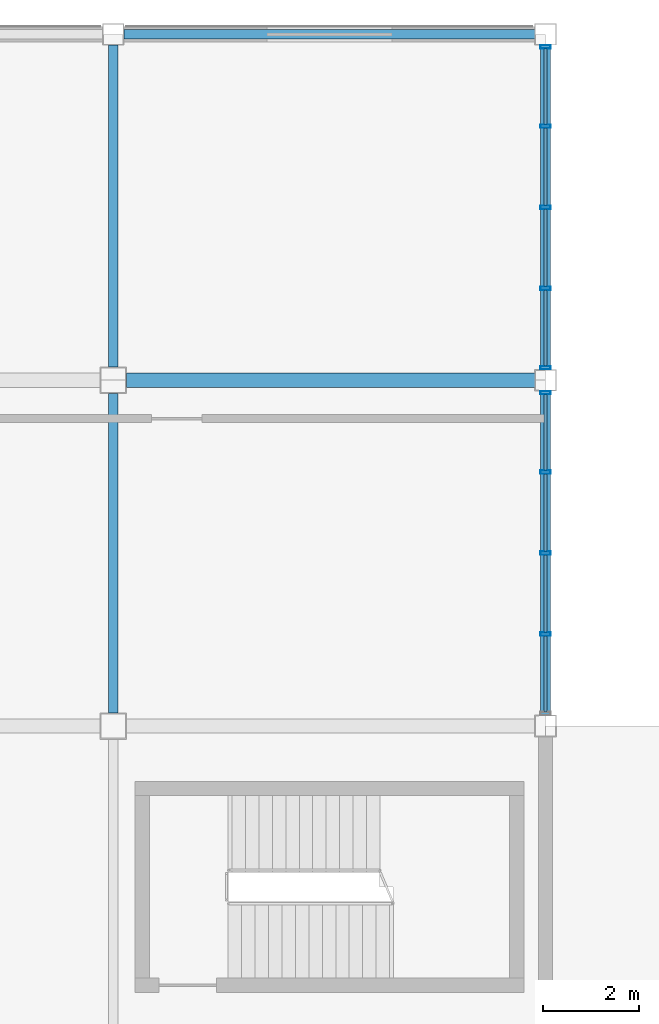
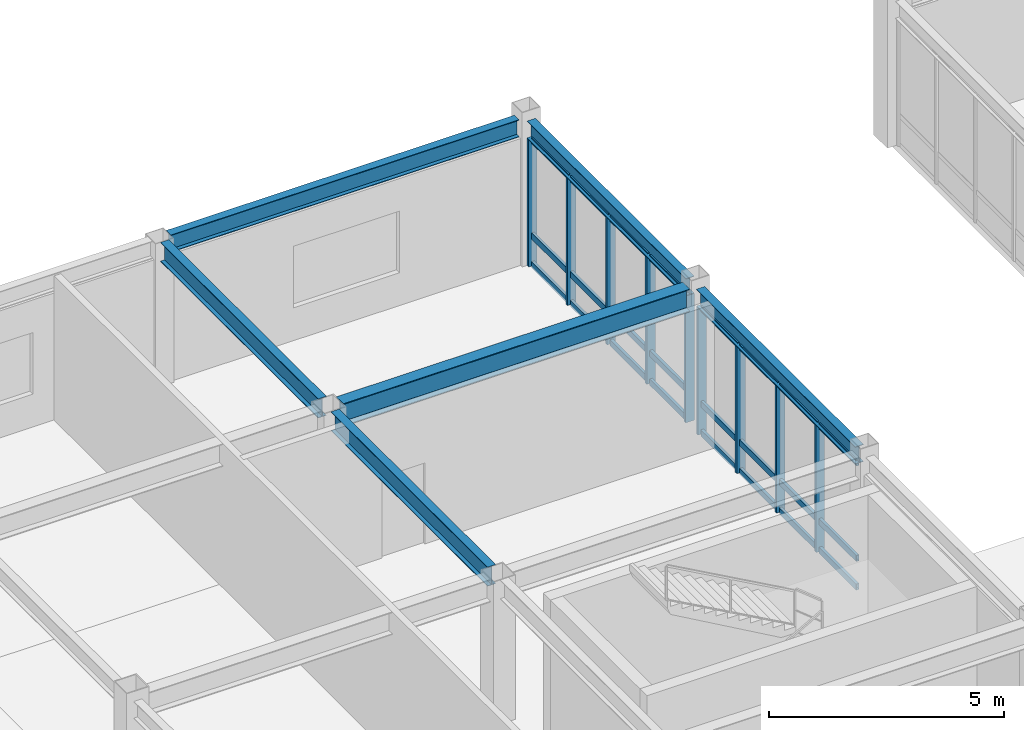
# One storey, part 77 of 113: 33 members, 6 beams, 2 elements without a shape of their own.
"""IFC4 building model written with IfcOpenShell, lengths in metres."""

import ifcopenshell
import ifcopenshell.guid

model = None  # the IFC model being written
_history = None  # IfcOwnerHistory: only IFC2X3 demands one
_inside = {}  # id of a spatial element -> (the spatial element, [elements in it])
_under = {}  # id of a project, library or spatial element -> (it, [spatial elements below it])
_declared = {}  # id of a project -> (the project, [libraries it declares])
_typed = {}  # id of a type object -> (the type object, [elements of that type])
_made_of = {}  # id of a material, layer set ... -> (it, [elements and type objects made of it])


def new_model(schema):
    """Start an empty IFC model of exactly this schema.

    Asked for "IFC4X3", IfcOpenShell would pick the latest addendum, in which some entities
    have other attributes; the version numbers below select the first issue.
    IFC2X3 requires an IfcOwnerHistory on every rooted entity: one is made here for all.
    """
    global model, _history
    if schema == "IFC4X3":
        model = ifcopenshell.file(schema_version=(4, 3, 0, 0))
    else:
        model = ifcopenshell.file(schema=schema)
    _inside.clear()
    _under.clear()
    _declared.clear()
    _typed.clear()
    _made_of.clear()
    _history = None
    if model.schema == "IFC2X3":
        org = make("IfcOrganization", Name="unknown")
        user = make(
            "IfcPersonAndOrganization",
            ThePerson=make("IfcPerson", FamilyName="unknown"),
            TheOrganization=org,
        )
        app = make(
            "IfcApplication",
            ApplicationDeveloper=org,
            Version="unknown",
            ApplicationFullName="unknown",
            ApplicationIdentifier="unknown",
        )
        _history = make(
            "IfcOwnerHistory",
            OwningUser=user,
            OwningApplication=app,
            ChangeAction="ADDED",
            CreationDate=0,
        )
    return model


def make(cls, **values):
    """One entity of the class cls with the attributes given. An attribute that is None is left unset."""
    return model.create_entity(
        cls, **{name: value for name, value in values.items() if value is not None}
    )


def rooted(cls, **values):
    """An entity with a GlobalId (a new one), such as an element, a storey or a relation."""
    return make(cls, GlobalId=ifcopenshell.guid.new(), OwnerHistory=_history, **values)


def si_unit(unit_type, name, prefix=None):
    """IfcSIUnit, for example si_unit("LENGTHUNIT", "METRE", prefix="MILLI")."""
    return make("IfcSIUnit", UnitType=unit_type, Prefix=prefix, Name=name)


def assignment(units):
    """IfcUnitAssignment: the units of a project."""
    return None if units is None else make("IfcUnitAssignment", Units=units)


def point(xyz):
    """IfcCartesianPoint."""
    return None if xyz is None else make("IfcCartesianPoint", Coordinates=xyz)


def direction(xyz):
    """IfcDirection."""
    return None if xyz is None else make("IfcDirection", DirectionRatios=xyz)


def frame(location, z_axis=None, x_axis=None):
    """IfcAxis2Placement3D, a coordinate frame: its origin and axes. An axis left out is left unset."""
    return make(
        "IfcAxis2Placement3D",
        Location=point(location),
        Axis=direction(z_axis),
        RefDirection=direction(x_axis),
    )


def frame_2d(location, x_axis=None):
    """IfcAxis2Placement2D, a coordinate frame in the plane: its origin and x axis."""
    return make(
        "IfcAxis2Placement2D", Location=point(location), RefDirection=direction(x_axis)
    )


def origin():
    """The frame at (0, 0, 0) with its axes left unset."""
    return frame((0.0, 0.0, 0.0))


def origin_2d():
    """The frame at (0, 0) in the plane with its x axis left unset."""
    return frame_2d((0.0, 0.0))


def place(relative_to, where):
    """IfcLocalPlacement: puts the frame where relative to a parent placement (None: the world)."""
    return make(
        "IfcLocalPlacement", PlacementRelTo=relative_to, RelativePlacement=where
    )


def context(
    kind, dimensions, precision=None, world=None, true_north=None, identifier=None
):
    """IfcGeometricRepresentationContext, for example the 3D "Model" context."""
    return make(
        "IfcGeometricRepresentationContext",
        ContextIdentifier=identifier,
        ContextType=kind,
        CoordinateSpaceDimension=dimensions,
        Precision=precision,
        WorldCoordinateSystem=world,
        TrueNorth=true_north,
    )


def subcontext(parent, identifier, kind, view, scale=None):
    """IfcGeometricRepresentationSubContext, for example "Body" below "Model"."""
    return make(
        "IfcGeometricRepresentationSubContext",
        ContextIdentifier=identifier,
        ContextType=kind,
        ParentContext=parent,
        TargetScale=scale,
        TargetView=view,
    )


def project(units=None, contexts=None):
    """IfcProject with its units and contexts."""
    return rooted(
        "IfcProject",
        Name="project",
        RepresentationContexts=contexts,
        UnitsInContext=assignment(units),
    )


def spatial(cls, under=None, at=None, **own):
    """A site, building, storey or space (cls), placed at a placement, below another one or the project."""
    s = rooted(cls, ObjectPlacement=at, **own)
    if under is not None:
        _under.setdefault(under.id(), (under, []))[1].append(s)
    return s


def profile(cls, at=None, kind="AREA", **sizes):
    """A parametric profile (cls). Its sizes go by their IFC names, for example OverallWidth=200.0."""
    return make(cls, ProfileType=kind, Position=at, **sizes)


def hollow_rectangle(**sizes):
    """IfcRectangleHollowProfileDef."""
    return profile("IfcRectangleHollowProfileDef", **sizes)


def i_section(**sizes):
    """IfcIShapeProfileDef."""
    return profile("IfcIShapeProfileDef", **sizes)


def extrude(swept, where, along, depth):
    """IfcExtrudedAreaSolid: the profile swept, set in the frame where, extruded along a direction by depth."""
    return make(
        "IfcExtrudedAreaSolid",
        SweptArea=swept,
        Position=where,
        ExtrudedDirection=direction(along),
        Depth=depth,
    )


def shape(context_of_items, identifier, shape_type, items):
    """IfcShapeRepresentation: the items that make up one representation, for example the "Body"."""
    return make(
        "IfcShapeRepresentation",
        ContextOfItems=context_of_items,
        RepresentationIdentifier=identifier,
        RepresentationType=shape_type,
        Items=items,
    )


def material(Name=None, Category=None):
    """IfcMaterial."""
    return make("IfcMaterial", Name=Name, Category=Category)


def material_profile(
    of_material, cross_section, Name=None, Category=None, Priority=None
):
    """IfcMaterialProfile: a cross section and its material."""
    return make(
        "IfcMaterialProfile",
        Name=Name,
        Material=of_material,
        Profile=cross_section,
        Priority=Priority,
        Category=Category,
    )


def profile_set(profiles, Name=None, composite=None):
    """IfcMaterialProfileSet."""
    return make(
        "IfcMaterialProfileSet",
        Name=Name,
        MaterialProfiles=profiles,
        CompositeProfile=composite,
    )


def made_of(thing, what):
    """Note that an element or type object is made of a material, layer set ...; save() writes the relation."""
    if what is not None:
        _made_of.setdefault(what.id(), (what, []))[1].append(thing)
    return thing


def type_object(cls, material=None, **own):
    """A type object (cls), such as IfcWallType, which elements share."""
    return made_of(rooted(cls, **own), material)


def element(
    cls,
    number,
    at=None,
    inside=None,
    cuts=None,
    type_object=None,
    material=None,
    context=None,
    identifier="Body",
    shape_type=None,
    held_by="IfcProductDefinitionShape",
    body=None,
    shapes=None,
    **own,
):
    """One element of the class cls, such as IfcWall. Its Tag is "e" and its number.

    at: its placement. inside: the storey or other place that contains it. cuts: it is an
    opening in that element (IfcRelVoidsElement). A single representation is given by context,
    identifier, shape_type and body (its items); several are given by shapes. held_by: the class
    of the entity that holds the representations. save() writes the other relations.
    """
    e = rooted(cls, Tag="e%d" % number, ObjectPlacement=at, **own)
    if body is not None:
        shapes = [shape(context, identifier, shape_type, body)]
    if shapes is not None:
        e.Representation = make(held_by, Representations=shapes)
    if inside is not None:
        _inside.setdefault(inside.id(), (inside, []))[1].append(e)
    if cuts is not None:
        rooted(
            "IfcRelVoidsElement", RelatingBuildingElement=cuts, RelatedOpeningElement=e
        )
    if type_object is not None:
        _typed.setdefault(type_object.id(), (type_object, []))[1].append(e)
    return made_of(e, material)


def aggregate(whole, parts):
    """IfcRelAggregates: a whole, such as a stair, and the parts it consists of."""
    return rooted("IfcRelAggregates", RelatingObject=whole, RelatedObjects=parts)


def save(model, path):
    """Write the relations noted so far, then the file.

    IfcRelAggregates (storeys below a building ...), IfcRelContainedInSpatialStructure (elements
    in a storey), IfcRelDefinesByType, IfcRelAssociatesMaterial and IfcRelDeclares: one each for
    every whole, place, type object, material and project.
    """
    for whole, parts in _under.values():
        aggregate(whole, parts)
    for where, things in _inside.values():
        rooted(
            "IfcRelContainedInSpatialStructure",
            RelatedElements=things,
            RelatingStructure=where,
        )
    for kind, things in _typed.values():
        rooted("IfcRelDefinesByType", RelatedObjects=things, RelatingType=kind)
    for what, things in _made_of.values():
        rooted("IfcRelAssociatesMaterial", RelatedObjects=things, RelatingMaterial=what)
    for by, libraries in _declared.values():
        rooted("IfcRelDeclares", RelatingContext=by, RelatedDefinitions=libraries)
    model.write(path)


model = new_model("IFC4")

# Units and contexts
model_context = context("Model", 3, precision=1e-05, world=origin(), true_north=direction((0.0, 1.0)))
body_context = subcontext(model_context, "Body", "Model", "MODEL_VIEW")
ifc_project = project(units=[si_unit("LENGTHUNIT", "METRE"), si_unit("AREAUNIT", "SQUARE_METRE"), si_unit("VOLUMEUNIT", "CUBIC_METRE"), si_unit("PLANEANGLEUNIT", "RADIAN"), si_unit("MASSUNIT", "GRAM", prefix="KILO")], contexts=[model_context])

# Site, building, storey
site_placement = place(None, origin())
site = spatial("IfcSite", under=ifc_project, at=site_placement, CompositionType="ELEMENT")
building_placement = place(site_placement, origin())
building = spatial("IfcBuilding", under=site, at=building_placement, Name="Kazanami Central Library", CompositionType="ELEMENT")
storey_placement = place(building_placement, frame((0.0, 0.0, 8.800048828125)))
storey = spatial("IfcBuildingStorey", under=building, at=storey_placement, Name="L03", CompositionType="ELEMENT", Elevation=8.800048828125)

# Beams
ifc_material_1 = material(Name="Steel SN490B (325 MPa)", Category="steel")
ifc_material_profile_1 = material_profile(ifc_material_1, i_section(OverallWidth=0.300048828125, OverallDepth=0.587890625, WebThickness=0.011962890625, FlangeThickness=0.02001953125, at=origin_2d()), Name="H-588x300x12x20")
ifc_profile_set_1 = profile_set([ifc_material_profile_1], Name="Steel SN490B (325 MPa)")
beam_type_1 = type_object("IfcBeamType", Name="BM-G-X2", PredefinedType="BEAM", material=ifc_profile_set_1)
beam_1_placement = place(storey_placement, frame((99.27294921875, 86.39990234375, 3.450927734375), z_axis=(1.0, 0.0, 0.0), x_axis=(0.0, 1.0, 0.0)))
element("IfcBeam", 1, at=beam_1_placement, inside=storey, type_object=beam_type_1, Name="Girder G-X2 L03 N/12-13", PredefinedType="BEAM", context=body_context, shape_type="SweptSolid", body=[
    extrude(i_section(OverallWidth=0.300048828125, OverallDepth=0.587890625, WebThickness=0.011962890625, FlangeThickness=0.02001953125, at=origin_2d()), origin(), (0.0, 0.0, 1.0), 8.504150390625),
])
ifc_material_profile_2 = material_profile(ifc_material_1, i_section(OverallWidth=0.199951171875, OverallDepth=0.5, WebThickness=0.010009765625, FlangeThickness=0.01611328125, at=origin_2d()), Name="H-500x200x10x16")
ifc_profile_set_2 = profile_set([ifc_material_profile_2], Name="Steel SN490B (325 MPa)")
beam_type_2 = type_object("IfcBeamType", Name="BM-G-Y2", PredefinedType="BEAM", material=ifc_profile_set_2)
beam_2_placement = place(storey_placement, frame((99.0, 79.472900390625, 3.494873046875), z_axis=(0.0, 1.0, 0.0), x_axis=(-1.0, 0.0, 0.0)))
element("IfcBeam", 2, at=beam_2_placement, inside=storey, type_object=beam_type_2, Name="Girder G-Y2 L03 12/M-N", PredefinedType="BEAM", context=body_context, shape_type="SweptSolid", body=[
    extrude(i_section(OverallWidth=0.199951171875, OverallDepth=0.5, WebThickness=0.010009765625, FlangeThickness=0.01611328125, at=origin_2d()), origin(), (0.0, 0.0, 1.0), 6.654052734375),
])
beam_3_placement = place(storey_placement, frame((99.0, 86.673095703125, 3.494873046875), z_axis=(0.0, 1.0, 0.0), x_axis=(-1.0, 0.0, 0.0)))
element("IfcBeam", 3, at=beam_3_placement, inside=storey, type_object=beam_type_2, Name="Girder G-Y2 L03 12/N-O", PredefinedType="BEAM", context=body_context, shape_type="SweptSolid", body=[
    extrude(i_section(OverallWidth=0.199951171875, OverallDepth=0.5, WebThickness=0.010009765625, FlangeThickness=0.01611328125, at=origin_2d()), origin(), (0.0, 0.0, 1.0), 6.703857421875),
])
ifc_material_profile_3 = material_profile(ifc_material_1, i_section(OverallWidth=0.199951171875, OverallDepth=0.449951171875, WebThickness=0.009033203125, FlangeThickness=0.013916015625, at=origin_2d()), Name="H-450x200x9x14")
ifc_profile_set_3 = profile_set([ifc_material_profile_3], Name="Steel SN490B (325 MPa)")
beam_type_3 = type_object("IfcBeamType", Name="BM-SP-2", PredefinedType="SPANDREL", material=ifc_profile_set_3)
beam_4_placement = place(storey_placement, frame((99.222900390625, 93.60009765625, 3.52001953125), z_axis=(1.0, 0.0, 0.0), x_axis=(0.0, 1.0, 0.0)))
element("IfcBeam", 4, at=beam_4_placement, inside=storey, type_object=beam_type_3, Name="Girder SP-2 L03 O/12-13", PredefinedType="SPANDREL", context=body_context, shape_type="SweptSolid", body=[
    extrude(i_section(OverallWidth=0.199951171875, OverallDepth=0.449951171875, WebThickness=0.009033203125, FlangeThickness=0.013916015625, at=origin_2d()), origin(), (0.0, 0.0, 1.0), 8.55419921875),
])
for number, where, z_axis, x_axis, name in (
    (5, (108.0, 79.423095703125, 3.52001953125), (0.0, 1.0, 0.0), (-1.0, 0.0, 0.0), "Girder SP-2 L03 13/M-N"),
    (6, (108.0, 86.623046875, 3.52001953125), (0.0, 1.0, 0.0), (-1.0, 0.0, 0.0), "Girder SP-2 L03 13/N-O"),
):
    element("IfcBeam", number, at=place(storey_placement, frame(where, z_axis=z_axis, x_axis=x_axis)), inside=storey, type_object=beam_type_3, Name=name, PredefinedType="SPANDREL", context=body_context, shape_type="SweptSolid", body=[
        extrude(i_section(OverallWidth=0.199951171875, OverallDepth=0.449951171875, WebThickness=0.009033203125, FlangeThickness=0.013916015625, at=origin_2d()), origin(), (0.0, 0.0, 1.0), 6.75390625),
    ])

# Curtain wall, members
ifc_material_2 = material(Name="Acid-Etched Low-E Laminated Glass", Category="glass")
curtain_wall_type = type_object("IfcCurtainWallType", Name="CW-6750x3295-M180", PredefinedType="USERDEFINED", material=ifc_material_2)
curtain_wall_1_placement = place(storey_placement, origin())
curtain_wall_1 = element("IfcCurtainWall", 7, at=curtain_wall_1_placement, inside=storey, type_object=curtain_wall_type, Name="Covered Link Bridge Curtain Wall CW-32 L03 E-13-11", ObjectType="UNITISED CURTAIN WALL", PredefinedType="USERDEFINED")
ifc_material_3 = material(Name="Anodised Aluminium A6063-T5", Category="aluminium")
ifc_material_profile_4 = material_profile(ifc_material_3, hollow_rectangle(XDim=0.070068359375, YDim=0.2099609375, WallThickness=0.0048828125, at=origin_2d()), Name="ALU-MULL-70x210x5")
ifc_profile_set_4 = profile_set([ifc_material_profile_4], Name="Anodised Aluminium A6063-T5")
member_type_1 = type_object("IfcMemberType", Name="MEM-CW-M1", PredefinedType="MULLION", material=ifc_profile_set_4)
member_1_placement = place(storey_placement, frame((108.0, 86.139892578125, 0.0), z_axis=(0.0, 0.0, 1.0), x_axis=(0.0, -1.0, 0.0)))
member_1 = element("IfcMember", 8, at=member_1_placement, type_object=member_type_1, Name="CW-32 mullion 1", PredefinedType="MULLION", context=body_context, shape_type="SweptSolid", body=[
    extrude(hollow_rectangle(XDim=0.070068359375, YDim=0.2099609375, WallThickness=0.0048828125, at=origin_2d()), origin(), (0.0, 0.0, 1.0), 3.294921875),
])
member_2_placement = place(storey_placement, frame((108.0, 84.487548828125, 0.0), z_axis=(0.0, 0.0, 1.0), x_axis=(0.0, -1.0, 0.0)))
member_2 = element("IfcMember", 9, at=member_2_placement, type_object=member_type_1, Name="CW-32 mullion 2", PredefinedType="MULLION", context=body_context, shape_type="SweptSolid", body=[
    extrude(hollow_rectangle(XDim=0.070068359375, YDim=0.2099609375, WallThickness=0.0048828125, at=origin_2d()), origin(), (0.0, 0.0, 1.0), 3.294921875),
])
member_3_placement = place(storey_placement, frame((108.0, 82.800048828125, 0.0), z_axis=(0.0, 0.0, 1.0), x_axis=(0.0, -1.0, 0.0)))
member_3 = element("IfcMember", 10, at=member_3_placement, type_object=member_type_1, Name="CW-32 mullion 3", PredefinedType="MULLION", context=body_context, shape_type="SweptSolid", body=[
    extrude(hollow_rectangle(XDim=0.070068359375, YDim=0.2099609375, WallThickness=0.0048828125, at=origin_2d()), origin(), (0.0, 0.0, 1.0), 3.294921875),
])
member_4_placement = place(storey_placement, frame((108.0, 81.112548828125, 0.0), z_axis=(0.0, 0.0, 1.0), x_axis=(0.0, -1.0, 0.0)))
member_4 = element("IfcMember", 11, at=member_4_placement, type_object=member_type_1, Name="CW-32 mullion 4", PredefinedType="MULLION", context=body_context, shape_type="SweptSolid", body=[
    extrude(hollow_rectangle(XDim=0.070068359375, YDim=0.2099609375, WallThickness=0.0048828125, at=origin_2d()), origin(), (0.0, 0.0, 1.0), 3.294921875),
])

curtain_wall_2_placement = place(storey_placement, origin())
curtain_wall_2 = element("IfcCurtainWall", 12, at=curtain_wall_2_placement, inside=storey, type_object=curtain_wall_type, Name="Covered Link Bridge Curtain Wall CW-32 L03 E-13-12", ObjectType="UNITISED CURTAIN WALL", PredefinedType="USERDEFINED")
member_5_placement = place(storey_placement, frame((108.0, 93.340087890625, 0.0), z_axis=(0.0, 0.0, 1.0), x_axis=(0.0, -1.0, 0.0)))
member_5 = element("IfcMember", 13, at=member_5_placement, type_object=member_type_1, Name="CW-32 mullion 1", PredefinedType="MULLION", context=body_context, shape_type="SweptSolid", body=[
    extrude(hollow_rectangle(XDim=0.070068359375, YDim=0.2099609375, WallThickness=0.0048828125, at=origin_2d()), origin(), (0.0, 0.0, 1.0), 3.294921875),
])
member_6_placement = place(storey_placement, frame((108.0, 91.6875, 0.0), z_axis=(0.0, 0.0, 1.0), x_axis=(0.0, -1.0, 0.0)))
member_6 = element("IfcMember", 14, at=member_6_placement, type_object=member_type_1, Name="CW-32 mullion 2", PredefinedType="MULLION", context=body_context, shape_type="SweptSolid", body=[
    extrude(hollow_rectangle(XDim=0.070068359375, YDim=0.2099609375, WallThickness=0.0048828125, at=origin_2d()), origin(), (0.0, 0.0, 1.0), 3.294921875),
])
member_7_placement = place(storey_placement, frame((108.0, 90.0, 0.0), z_axis=(0.0, 0.0, 1.0), x_axis=(0.0, -1.0, 0.0)))
member_7 = element("IfcMember", 15, at=member_7_placement, type_object=member_type_1, Name="CW-32 mullion 3", PredefinedType="MULLION", context=body_context, shape_type="SweptSolid", body=[
    extrude(hollow_rectangle(XDim=0.070068359375, YDim=0.2099609375, WallThickness=0.0048828125, at=origin_2d()), origin(), (0.0, 0.0, 1.0), 3.294921875),
])
member_8_placement = place(storey_placement, frame((108.0, 88.3125, 0.0), z_axis=(0.0, 0.0, 1.0), x_axis=(0.0, -1.0, 0.0)))
member_8 = element("IfcMember", 16, at=member_8_placement, type_object=member_type_1, Name="CW-32 mullion 4", PredefinedType="MULLION", context=body_context, shape_type="SweptSolid", body=[
    extrude(hollow_rectangle(XDim=0.070068359375, YDim=0.2099609375, WallThickness=0.0048828125, at=origin_2d()), origin(), (0.0, 0.0, 1.0), 3.294921875),
])
member_9_placement = place(storey_placement, frame((108.0, 86.659912109375, 0.0), z_axis=(0.0, 0.0, 1.0), x_axis=(0.0, -1.0, 0.0)))
member_9 = element("IfcMember", 17, at=member_9_placement, type_object=member_type_1, Name="CW-32 mullion 5", PredefinedType="MULLION", context=body_context, shape_type="SweptSolid", body=[
    extrude(hollow_rectangle(XDim=0.070068359375, YDim=0.2099609375, WallThickness=0.0048828125, at=origin_2d()), origin(), (0.0, 0.0, 1.0), 3.294921875),
])

# Member
ifc_material_profile_5 = material_profile(ifc_material_3, hollow_rectangle(XDim=0.070068359375, YDim=0.159912109375, WallThickness=0.00390625, at=origin_2d()), Name="ALU-TRAN-70x160x4")
ifc_profile_set_5 = profile_set([ifc_material_profile_5], Name="Anodised Aluminium A6063-T5")
member_type_2 = type_object("IfcMemberType", Name="MEM-CW-T1", PredefinedType="USERDEFINED", material=ifc_profile_set_5)
member_10_placement = place(storey_placement, frame((108.0, 86.10498046875, 0.034912109375), z_axis=(0.0, -1.0, 0.0), x_axis=(1.0, 0.0, 0.0)))
member_10 = element("IfcMember", 18, at=member_10_placement, type_object=member_type_2, Name="CW-32 transom 1.1", ObjectType="TRANSOM", PredefinedType="USERDEFINED", context=body_context, shape_type="SweptSolid", body=[
    extrude(hollow_rectangle(XDim=0.070068359375, YDim=0.159912109375, WallThickness=0.00390625, at=origin_2d()), origin(), (0.0, 0.0, 1.0), 1.58251953125),
])

member_11_placement = place(storey_placement, frame((108.0, 86.10498046875, 0.780029296875), z_axis=(0.0, -1.0, 0.0), x_axis=(1.0, 0.0, 0.0)))
member_11 = element("IfcMember", 19, at=member_11_placement, type_object=member_type_2, Name="CW-32 transom 1.2", ObjectType="TRANSOM", PredefinedType="USERDEFINED", context=body_context, shape_type="SweptSolid", body=[
    extrude(hollow_rectangle(XDim=0.070068359375, YDim=0.159912109375, WallThickness=0.00390625, at=origin_2d()), origin(), (0.0, 0.0, 1.0), 1.58251953125),
])

member_12_placement = place(storey_placement, frame((108.0, 86.10498046875, 3.260009765625), z_axis=(0.0, -1.0, 0.0), x_axis=(1.0, 0.0, 0.0)))
member_12 = element("IfcMember", 20, at=member_12_placement, type_object=member_type_2, Name="CW-32 transom 1.3", ObjectType="TRANSOM", PredefinedType="USERDEFINED", context=body_context, shape_type="SweptSolid", body=[
    extrude(hollow_rectangle(XDim=0.070068359375, YDim=0.159912109375, WallThickness=0.00390625, at=origin_2d()), origin(), (0.0, 0.0, 1.0), 1.58251953125),
])

member_13_placement = place(storey_placement, frame((108.0, 84.452392578125, 0.034912109375), z_axis=(0.0, -1.0, 0.0), x_axis=(1.0, 0.0, 0.0)))
member_13 = element("IfcMember", 21, at=member_13_placement, type_object=member_type_2, Name="CW-32 transom 2.1", ObjectType="TRANSOM", PredefinedType="USERDEFINED", context=body_context, shape_type="SweptSolid", body=[
    extrude(hollow_rectangle(XDim=0.070068359375, YDim=0.159912109375, WallThickness=0.00390625, at=origin_2d()), origin(), (0.0, 0.0, 1.0), 1.617431640625),
])

member_14_placement = place(storey_placement, frame((108.0, 84.452392578125, 0.780029296875), z_axis=(0.0, -1.0, 0.0), x_axis=(1.0, 0.0, 0.0)))
member_14 = element("IfcMember", 22, at=member_14_placement, type_object=member_type_2, Name="CW-32 transom 2.2", ObjectType="TRANSOM", PredefinedType="USERDEFINED", context=body_context, shape_type="SweptSolid", body=[
    extrude(hollow_rectangle(XDim=0.070068359375, YDim=0.159912109375, WallThickness=0.00390625, at=origin_2d()), origin(), (0.0, 0.0, 1.0), 1.617431640625),
])

member_15_placement = place(storey_placement, frame((108.0, 84.452392578125, 3.260009765625), z_axis=(0.0, -1.0, 0.0), x_axis=(1.0, 0.0, 0.0)))
member_15 = element("IfcMember", 23, at=member_15_placement, type_object=member_type_2, Name="CW-32 transom 2.3", ObjectType="TRANSOM", PredefinedType="USERDEFINED", context=body_context, shape_type="SweptSolid", body=[
    extrude(hollow_rectangle(XDim=0.070068359375, YDim=0.159912109375, WallThickness=0.00390625, at=origin_2d()), origin(), (0.0, 0.0, 1.0), 1.617431640625),
])

member_16_placement = place(storey_placement, frame((108.0, 82.764892578125, 0.034912109375), z_axis=(0.0, -1.0, 0.0), x_axis=(1.0, 0.0, 0.0)))
member_16 = element("IfcMember", 24, at=member_16_placement, type_object=member_type_2, Name="CW-32 transom 3.1", ObjectType="TRANSOM", PredefinedType="USERDEFINED", context=body_context, shape_type="SweptSolid", body=[
    extrude(hollow_rectangle(XDim=0.070068359375, YDim=0.159912109375, WallThickness=0.00390625, at=origin_2d()), origin(), (0.0, 0.0, 1.0), 1.617431640625),
])

member_17_placement = place(storey_placement, frame((108.0, 82.764892578125, 0.780029296875), z_axis=(0.0, -1.0, 0.0), x_axis=(1.0, 0.0, 0.0)))
member_17 = element("IfcMember", 25, at=member_17_placement, type_object=member_type_2, Name="CW-32 transom 3.2", ObjectType="TRANSOM", PredefinedType="USERDEFINED", context=body_context, shape_type="SweptSolid", body=[
    extrude(hollow_rectangle(XDim=0.070068359375, YDim=0.159912109375, WallThickness=0.00390625, at=origin_2d()), origin(), (0.0, 0.0, 1.0), 1.617431640625),
])

member_18_placement = place(storey_placement, frame((108.0, 82.764892578125, 3.260009765625), z_axis=(0.0, -1.0, 0.0), x_axis=(1.0, 0.0, 0.0)))
member_18 = element("IfcMember", 26, at=member_18_placement, type_object=member_type_2, Name="CW-32 transom 3.3", ObjectType="TRANSOM", PredefinedType="USERDEFINED", context=body_context, shape_type="SweptSolid", body=[
    extrude(hollow_rectangle(XDim=0.070068359375, YDim=0.159912109375, WallThickness=0.00390625, at=origin_2d()), origin(), (0.0, 0.0, 1.0), 1.617431640625),
])

member_19_placement = place(storey_placement, frame((108.0, 81.077392578125, 0.034912109375), z_axis=(0.0, -1.0, 0.0), x_axis=(1.0, 0.0, 0.0)))
member_19 = element("IfcMember", 27, at=member_19_placement, type_object=member_type_2, Name="CW-32 transom 4.1", ObjectType="TRANSOM", PredefinedType="USERDEFINED", context=body_context, shape_type="SweptSolid", body=[
    extrude(hollow_rectangle(XDim=0.070068359375, YDim=0.159912109375, WallThickness=0.00390625, at=origin_2d()), origin(), (0.0, 0.0, 1.0), 1.582275390625),
])

member_20_placement = place(storey_placement, frame((108.0, 81.077392578125, 0.780029296875), z_axis=(0.0, -1.0, 0.0), x_axis=(1.0, 0.0, 0.0)))
member_20 = element("IfcMember", 28, at=member_20_placement, type_object=member_type_2, Name="CW-32 transom 4.2", ObjectType="TRANSOM", PredefinedType="USERDEFINED", context=body_context, shape_type="SweptSolid", body=[
    extrude(hollow_rectangle(XDim=0.070068359375, YDim=0.159912109375, WallThickness=0.00390625, at=origin_2d()), origin(), (0.0, 0.0, 1.0), 1.582275390625),
])

member_21_placement = place(storey_placement, frame((108.0, 81.077392578125, 3.260009765625), z_axis=(0.0, -1.0, 0.0), x_axis=(1.0, 0.0, 0.0)))
member_21 = element("IfcMember", 29, at=member_21_placement, type_object=member_type_2, Name="CW-32 transom 4.3", ObjectType="TRANSOM", PredefinedType="USERDEFINED", context=body_context, shape_type="SweptSolid", body=[
    extrude(hollow_rectangle(XDim=0.070068359375, YDim=0.159912109375, WallThickness=0.00390625, at=origin_2d()), origin(), (0.0, 0.0, 1.0), 1.582275390625),
])

aggregate(curtain_wall_1, [member_1, member_2, member_3, member_4, member_10, member_11, member_12, member_13, member_14, member_15, member_16, member_17, member_18, member_19, member_20, member_21])

member_22_placement = place(storey_placement, frame((108.0, 93.304931640625, 0.034912109375), z_axis=(0.0, -1.0, 0.0), x_axis=(1.0, 0.0, 0.0)))
member_22 = element("IfcMember", 30, at=member_22_placement, type_object=member_type_2, Name="CW-32 transom 1.1", ObjectType="TRANSOM", PredefinedType="USERDEFINED", context=body_context, shape_type="SweptSolid", body=[
    extrude(hollow_rectangle(XDim=0.070068359375, YDim=0.159912109375, WallThickness=0.00390625, at=origin_2d()), origin(), (0.0, 0.0, 1.0), 1.58251953125),
])

member_23_placement = place(storey_placement, frame((108.0, 93.304931640625, 0.780029296875), z_axis=(0.0, -1.0, 0.0), x_axis=(1.0, 0.0, 0.0)))
member_23 = element("IfcMember", 31, at=member_23_placement, type_object=member_type_2, Name="CW-32 transom 1.2", ObjectType="TRANSOM", PredefinedType="USERDEFINED", context=body_context, shape_type="SweptSolid", body=[
    extrude(hollow_rectangle(XDim=0.070068359375, YDim=0.159912109375, WallThickness=0.00390625, at=origin_2d()), origin(), (0.0, 0.0, 1.0), 1.58251953125),
])

member_24_placement = place(storey_placement, frame((108.0, 93.304931640625, 3.260009765625), z_axis=(0.0, -1.0, 0.0), x_axis=(1.0, 0.0, 0.0)))
member_24 = element("IfcMember", 32, at=member_24_placement, type_object=member_type_2, Name="CW-32 transom 1.3", ObjectType="TRANSOM", PredefinedType="USERDEFINED", context=body_context, shape_type="SweptSolid", body=[
    extrude(hollow_rectangle(XDim=0.070068359375, YDim=0.159912109375, WallThickness=0.00390625, at=origin_2d()), origin(), (0.0, 0.0, 1.0), 1.58251953125),
])

member_25_placement = place(storey_placement, frame((108.0, 91.652587890625, 0.034912109375), z_axis=(0.0, -1.0, 0.0), x_axis=(1.0, 0.0, 0.0)))
member_25 = element("IfcMember", 33, at=member_25_placement, type_object=member_type_2, Name="CW-32 transom 2.1", ObjectType="TRANSOM", PredefinedType="USERDEFINED", context=body_context, shape_type="SweptSolid", body=[
    extrude(hollow_rectangle(XDim=0.070068359375, YDim=0.159912109375, WallThickness=0.00390625, at=origin_2d()), origin(), (0.0, 0.0, 1.0), 1.61767578125),
])

member_26_placement = place(storey_placement, frame((108.0, 91.652587890625, 0.780029296875), z_axis=(0.0, -1.0, 0.0), x_axis=(1.0, 0.0, 0.0)))
member_26 = element("IfcMember", 34, at=member_26_placement, type_object=member_type_2, Name="CW-32 transom 2.2", ObjectType="TRANSOM", PredefinedType="USERDEFINED", context=body_context, shape_type="SweptSolid", body=[
    extrude(hollow_rectangle(XDim=0.070068359375, YDim=0.159912109375, WallThickness=0.00390625, at=origin_2d()), origin(), (0.0, 0.0, 1.0), 1.61767578125),
])

member_27_placement = place(storey_placement, frame((108.0, 91.652587890625, 3.260009765625), z_axis=(0.0, -1.0, 0.0), x_axis=(1.0, 0.0, 0.0)))
member_27 = element("IfcMember", 35, at=member_27_placement, type_object=member_type_2, Name="CW-32 transom 2.3", ObjectType="TRANSOM", PredefinedType="USERDEFINED", context=body_context, shape_type="SweptSolid", body=[
    extrude(hollow_rectangle(XDim=0.070068359375, YDim=0.159912109375, WallThickness=0.00390625, at=origin_2d()), origin(), (0.0, 0.0, 1.0), 1.61767578125),
])

member_28_placement = place(storey_placement, frame((108.0, 89.965087890625, 0.034912109375), z_axis=(0.0, -1.0, 0.0), x_axis=(1.0, 0.0, 0.0)))
member_28 = element("IfcMember", 36, at=member_28_placement, type_object=member_type_2, Name="CW-32 transom 3.1", ObjectType="TRANSOM", PredefinedType="USERDEFINED", context=body_context, shape_type="SweptSolid", body=[
    extrude(hollow_rectangle(XDim=0.070068359375, YDim=0.159912109375, WallThickness=0.00390625, at=origin_2d()), origin(), (0.0, 0.0, 1.0), 1.61767578125),
])

member_29_placement = place(storey_placement, frame((108.0, 89.965087890625, 0.780029296875), z_axis=(0.0, -1.0, 0.0), x_axis=(1.0, 0.0, 0.0)))
member_29 = element("IfcMember", 37, at=member_29_placement, type_object=member_type_2, Name="CW-32 transom 3.2", ObjectType="TRANSOM", PredefinedType="USERDEFINED", context=body_context, shape_type="SweptSolid", body=[
    extrude(hollow_rectangle(XDim=0.070068359375, YDim=0.159912109375, WallThickness=0.00390625, at=origin_2d()), origin(), (0.0, 0.0, 1.0), 1.61767578125),
])

member_30_placement = place(storey_placement, frame((108.0, 89.965087890625, 3.260009765625), z_axis=(0.0, -1.0, 0.0), x_axis=(1.0, 0.0, 0.0)))
member_30 = element("IfcMember", 38, at=member_30_placement, type_object=member_type_2, Name="CW-32 transom 3.3", ObjectType="TRANSOM", PredefinedType="USERDEFINED", context=body_context, shape_type="SweptSolid", body=[
    extrude(hollow_rectangle(XDim=0.070068359375, YDim=0.159912109375, WallThickness=0.00390625, at=origin_2d()), origin(), (0.0, 0.0, 1.0), 1.61767578125),
])

member_31_placement = place(storey_placement, frame((108.0, 88.277587890625, 0.034912109375), z_axis=(0.0, -1.0, 0.0), x_axis=(1.0, 0.0, 0.0)))
member_31 = element("IfcMember", 39, at=member_31_placement, type_object=member_type_2, Name="CW-32 transom 4.1", ObjectType="TRANSOM", PredefinedType="USERDEFINED", context=body_context, shape_type="SweptSolid", body=[
    extrude(hollow_rectangle(XDim=0.070068359375, YDim=0.159912109375, WallThickness=0.00390625, at=origin_2d()), origin(), (0.0, 0.0, 1.0), 1.58251953125),
])

member_32_placement = place(storey_placement, frame((108.0, 88.277587890625, 0.780029296875), z_axis=(0.0, -1.0, 0.0), x_axis=(1.0, 0.0, 0.0)))
member_32 = element("IfcMember", 40, at=member_32_placement, type_object=member_type_2, Name="CW-32 transom 4.2", ObjectType="TRANSOM", PredefinedType="USERDEFINED", context=body_context, shape_type="SweptSolid", body=[
    extrude(hollow_rectangle(XDim=0.070068359375, YDim=0.159912109375, WallThickness=0.00390625, at=origin_2d()), origin(), (0.0, 0.0, 1.0), 1.58251953125),
])

member_33_placement = place(storey_placement, frame((108.0, 88.277587890625, 3.260009765625), z_axis=(0.0, -1.0, 0.0), x_axis=(1.0, 0.0, 0.0)))
member_33 = element("IfcMember", 41, at=member_33_placement, type_object=member_type_2, Name="CW-32 transom 4.3", ObjectType="TRANSOM", PredefinedType="USERDEFINED", context=body_context, shape_type="SweptSolid", body=[
    extrude(hollow_rectangle(XDim=0.070068359375, YDim=0.159912109375, WallThickness=0.00390625, at=origin_2d()), origin(), (0.0, 0.0, 1.0), 1.58251953125),
])

aggregate(curtain_wall_2, [member_5, member_6, member_7, member_8, member_9, member_22, member_23, member_24, member_25, member_26, member_27, member_28, member_29, member_30, member_31, member_32, member_33])

save(model, "model.ifc")
